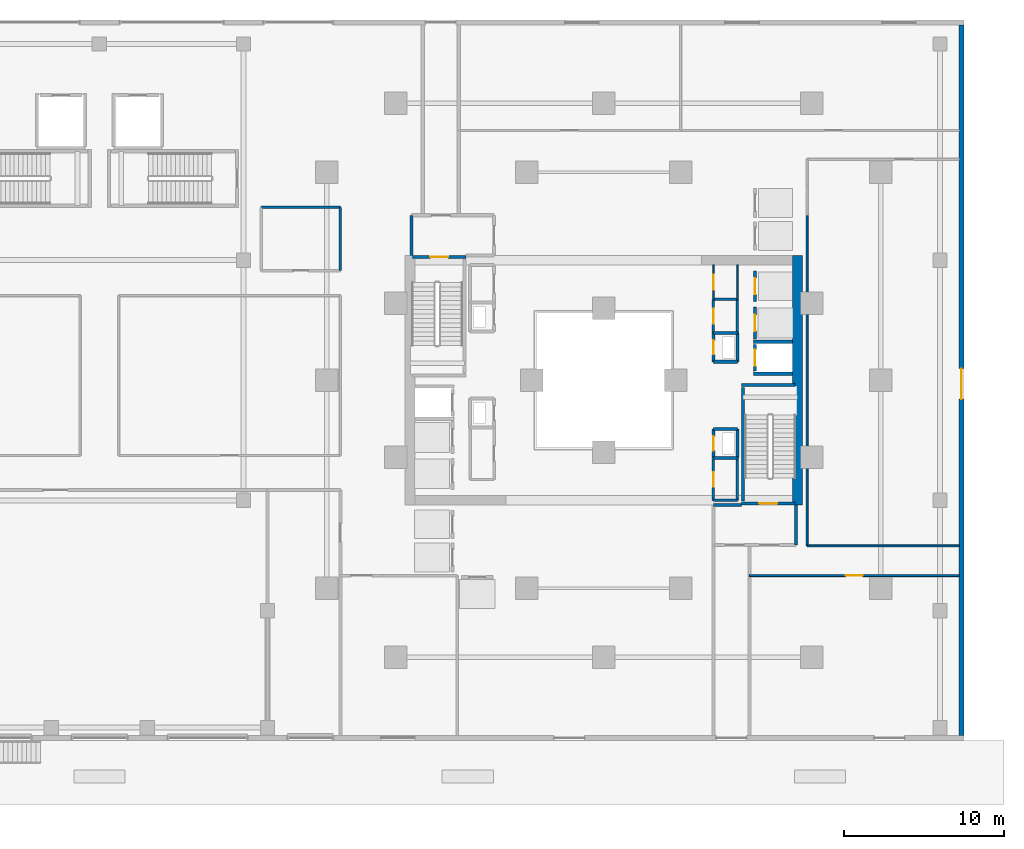
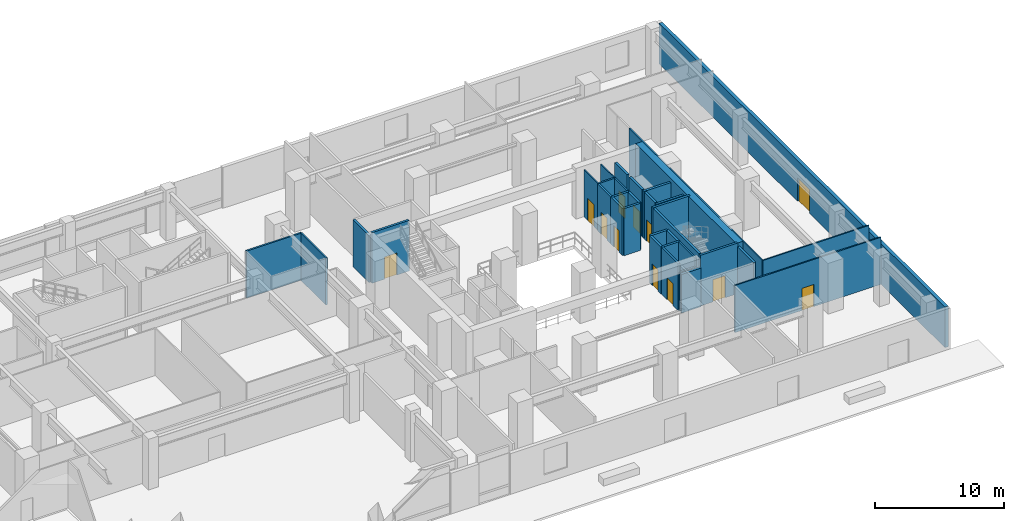
# One storey, part 17 of 24: 35 walls, 12 doors, 12 openings.
"""IFC4 building model written with IfcOpenShell, lengths in metres."""

from ifc_helpers import new_model, si_unit, direction, frame, frame_2d, origin, place, context, subcontext, project, spatial, rectangle, extrude, material, layer, layer_set, type_object, element, fill, save


model = new_model("IFC4")

# Units and contexts
model_context = context("Model", 3, precision=1e-05, world=origin(), true_north=direction((0.0, 1.0)))
body_context = subcontext(model_context, "Body", "Model", "MODEL_VIEW")
ifc_project = project(units=[si_unit("LENGTHUNIT", "METRE"), si_unit("AREAUNIT", "SQUARE_METRE"), si_unit("VOLUMEUNIT", "CUBIC_METRE"), si_unit("PLANEANGLEUNIT", "RADIAN"), si_unit("MASSUNIT", "GRAM", prefix="KILO")], contexts=[model_context])

# Site, building, storey
site_placement = place(None, origin())
site = spatial("IfcSite", under=ifc_project, at=site_placement, CompositionType="ELEMENT")
building_placement = place(site_placement, origin())
building = spatial("IfcBuilding", under=site, at=building_placement, Name="Thornwick Lancets Civic Towers", CompositionType="ELEMENT")
storey_placement = place(building_placement, origin())
storey = spatial("IfcBuildingStorey", under=building, at=storey_placement, Name="L00", CompositionType="ELEMENT", Elevation=0.0)

# Wall, opening, door
ifc_material_1 = material(Name="Concrete blockwork C40/50", Category="masonry")
ifc_layer_1 = layer(ifc_material_1, 0.199951171875, Name="Concrete blockwork C40/50")
ifc_layer_set_1 = layer_set([ifc_layer_1], Name="Concrete blockwork C40/50")
wall_type_1 = type_object("IfcWallType", Name="WALL_COMP_200", PredefinedType="STANDARD", material=ifc_layer_set_1)
wall_1_placement = place(storey_placement, frame((97.949951171875, 29.219970703125, 0.0), z_axis=(0.0, 0.0, 1.0), x_axis=(0.0, -1.0, 0.0)))
wall_1 = element("IfcWall", 1, at=wall_1_placement, inside=storey, type_object=wall_type_1, Name="L00 Hoistway Front Wall FL-B1", PredefinedType="STANDARD", context=body_context, shape_type="SweptSolid", body=[
    extrude(rectangle(XDim=1.639892578125, YDim=0.199951171875, at=frame_2d((0.81982421875, 0.0))), origin(), (0.0, 0.0, 1.0), 4.4599609375),
])
opening_1_placement = place(wall_1_placement, frame((0.31005859375, 0.0, 0.0)))
opening_1 = element("IfcOpeningElement", 2, at=opening_1_placement, cuts=wall_1, Name="Opening LD-FL-B1", PredefinedType="OPENING", context=body_context, shape_type="SweptSolid", body=[
    extrude(rectangle(XDim=1.02001953125, YDim=2.06005859375, at=frame_2d((0.510009765625, 1.030029296875))), frame((0.0, 0.10986328125, 0.0), z_axis=(0.0, -1.0, 0.0), x_axis=(1.0, 0.0, 0.0)), (0.0, 0.0, 1.0), 0.219970703125),
])
ifc_material_2 = material(Name="Brushed bronze stainless steel", Category="steel")
door_type_1 = type_object("IfcDoorType", Name="DOOR_LIFT_SLIDE", OperationType="SLIDING_TO_LEFT", PredefinedType="DOOR", material=ifc_material_2)
door_1_placement = place(opening_1_placement, origin())
door_1 = element("IfcDoor", 3, at=door_1_placement, inside=storey, type_object=door_type_1, Name="L00 Sliding Lift Landing Door LD-FL-B1", OperationType="SLIDING_TO_LEFT", OverallHeight=2.06005859375, OverallWidth=1.02001953125, PredefinedType="DOOR", context=body_context, shape_type="SweptSolid", body=[
    extrude(rectangle(XDim=1.02001953125, YDim=2.06005859375, at=frame_2d((0.510009765625, 1.030029296875))), frame((0.0, 0.02490234375, 0.0), z_axis=(0.0, -1.0, 0.0), x_axis=(1.0, 0.0, 0.0)), (0.0, 0.0, 1.0), 0.050048828125),
])
fill(opening_1, door_1)

wall_2_placement = place(storey_placement, frame((97.949951171875, 31.570068359375, 0.0), z_axis=(0.0, 0.0, 1.0), x_axis=(0.0, -1.0, 0.0)))
wall_2 = element("IfcWall", 4, at=wall_2_placement, inside=storey, type_object=wall_type_1, Name="L00 Hoistway Front Wall PL-BH1", PredefinedType="STANDARD", context=body_context, shape_type="SweptSolid", body=[
    extrude(rectangle(XDim=1.989990234375, YDim=0.199951171875, at=frame_2d((0.9951171875, 0.0))), origin(), (0.0, 0.0, 1.0), 4.4599609375),
])
opening_2_placement = place(wall_2_placement, frame((0.485107421875, 0.0, 0.0)))
opening_2 = element("IfcOpeningElement", 5, at=opening_2_placement, cuts=wall_2, Name="Opening LD-PL-BH1", PredefinedType="OPENING", context=body_context, shape_type="SweptSolid", body=[
    extrude(rectangle(XDim=1.02001953125, YDim=2.06005859375, at=frame_2d((0.510009765625, 1.030029296875))), frame((0.0, 0.10986328125, 0.0), z_axis=(0.0, -1.0, 0.0), x_axis=(1.0, 0.0, 0.0)), (0.0, 0.0, 1.0), 0.219970703125),
])
door_2_placement = place(opening_2_placement, origin())
door_2 = element("IfcDoor", 6, at=door_2_placement, inside=storey, type_object=door_type_1, Name="L00 Sliding Lift Landing Door LD-PL-BH1", OperationType="SLIDING_TO_LEFT", OverallHeight=2.06005859375, OverallWidth=1.02001953125, PredefinedType="DOOR", context=body_context, shape_type="SweptSolid", body=[
    extrude(rectangle(XDim=1.02001953125, YDim=2.06005859375, at=frame_2d((0.510009765625, 1.030029296875))), frame((0.0, 0.02490234375, 0.0), z_axis=(0.0, -1.0, 0.0), x_axis=(1.0, 0.0, 0.0)), (0.0, 0.0, 1.0), 0.050048828125),
])
fill(opening_2, door_2)

wall_3_placement = place(storey_placement, frame((97.949951171875, 33.820068359375, 0.0), z_axis=(0.0, 0.0, 1.0), x_axis=(0.0, -1.0, 0.0)))
wall_3 = element("IfcWall", 7, at=wall_3_placement, inside=storey, type_object=wall_type_1, Name="L00 Hoistway Front Wall PL-BL1", PredefinedType="STANDARD", context=body_context, shape_type="SweptSolid", body=[
    extrude(rectangle(XDim=1.89013671875, YDim=0.199951171875, at=frame_2d((0.945068359375, 0.0))), origin(), (0.0, 0.0, 1.0), 4.4599609375),
])
opening_3_placement = place(wall_3_placement, frame((0.43505859375, 0.0, 0.0)))
opening_3 = element("IfcOpeningElement", 8, at=opening_3_placement, cuts=wall_3, Name="Opening LD-PL-BL1", PredefinedType="OPENING", context=body_context, shape_type="SweptSolid", body=[
    extrude(rectangle(XDim=1.02001953125, YDim=2.06005859375, at=frame_2d((0.510009765625, 1.030029296875))), frame((0.0, 0.10986328125, 0.0), z_axis=(0.0, -1.0, 0.0), x_axis=(1.0, 0.0, 0.0)), (0.0, 0.0, 1.0), 0.219970703125),
])
door_3_placement = place(opening_3_placement, origin())
door_3 = element("IfcDoor", 9, at=door_3_placement, inside=storey, type_object=door_type_1, Name="L00 Sliding Lift Landing Door LD-PL-BL1", OperationType="SLIDING_TO_LEFT", OverallHeight=2.06005859375, OverallWidth=1.02001953125, PredefinedType="DOOR", context=body_context, shape_type="SweptSolid", body=[
    extrude(rectangle(XDim=1.02001953125, YDim=2.06005859375, at=frame_2d((0.510009765625, 1.030029296875))), frame((0.0, 0.02490234375, 0.0), z_axis=(0.0, -1.0, 0.0), x_axis=(1.0, 0.0, 0.0)), (0.0, 0.0, 1.0), 0.050048828125),
])
fill(opening_3, door_3)

# Walls
for number, where, z_axis, x_axis, name in (
    (10, (97.85205078125, 29.39990234375, 0.0), (0.0, 0.0, 1.0), (1.0, 0.0, 0.0), "L00 Hoistway Shaft Wall FL-B1 N"),
    (11, (97.85205078125, 27.39990234375, 0.0), (0.0, 0.0, 1.0), (1.0, 0.0, 0.0), "L00 Hoistway Shaft Wall FL-B1 S"),
):
    element("IfcWall", number, at=place(storey_placement, frame(where, z_axis=z_axis, x_axis=x_axis)), inside=storey, type_object=wall_type_1, Name=name, PredefinedType="STANDARD", context=body_context, shape_type="SweptSolid", body=[
        extrude(rectangle(XDim=2.43603515625, YDim=0.199951171875, at=frame_2d((1.218017578125, 0.0))), origin(), (0.0, 0.0, 1.0), 4.4599609375),
    ])
wall_4_placement = place(storey_placement, frame((100.5, 16.699951171875, 0.0), z_axis=(0.0, 0.0, 1.0), x_axis=(0.0, 1.0, 0.0)))
element("IfcWall", 12, at=wall_4_placement, inside=storey, type_object=wall_type_1, Name="L00 Partition L00-B-FFLOB1 E2", PredefinedType="STANDARD", context=body_context, shape_type="SweptSolid", body=[
    extrude(rectangle(XDim=2.5, YDim=0.199951171875, at=frame_2d((1.25, 0.0))), origin(), (0.0, 0.0, 1.0), 4.4599609375),
])
wall_5_placement = place(storey_placement, frame((97.10009765625, 19.199951171875, 0.0), z_axis=(0.0, 0.0, 1.0), x_axis=(-1.0, 0.0, 0.0)))
element("IfcWall", 13, at=wall_5_placement, inside=storey, type_object=wall_type_1, Name="L00 Partition L00-B-FFLOB1 E3", PredefinedType="STANDARD", context=body_context, shape_type="SweptSolid", body=[
    extrude(rectangle(XDim=1.75, YDim=0.199951171875, at=frame_2d((0.875, 0.0))), origin(), (0.0, 0.0, 1.0), 3.6650390625),
])
wall_6_placement = place(storey_placement, frame((76.5, 37.300048828125, 0.0), z_axis=(0.0, 0.0, 1.0), x_axis=(0.0, -1.0, 0.0)))
element("IfcWall", 14, at=wall_6_placement, inside=storey, type_object=wall_type_1, Name="L00 Partition L00-B-FFLOB2 E4", PredefinedType="STANDARD", context=body_context, shape_type="SweptSolid", body=[
    extrude(rectangle(XDim=2.5, YDim=0.199951171875, at=frame_2d((1.25, 0.0))), origin(), (0.0, 0.0, 1.0), 4.4599609375),
])
wall_7_placement = place(storey_placement, frame((95.35009765625, 28.14990234375, 0.0), z_axis=(0.0, 0.0, 1.0), x_axis=(1.0, 0.0, 0.0)))
element("IfcWall", 15, at=wall_7_placement, inside=storey, type_object=wall_type_1, Name="L00 Partition L00-B-DUCT1 E1", PredefinedType="STANDARD", context=body_context, shape_type="SweptSolid", body=[
    extrude(rectangle(XDim=1.5, YDim=0.199951171875, at=frame_2d((0.75, 0.0))), origin(), (0.0, 0.0, 1.0), 4.4599609375),
])
wall_8_placement = place(storey_placement, frame((96.85009765625, 28.14990234375, 0.0), z_axis=(0.0, 0.0, 1.0), x_axis=(0.0, 1.0, 0.0)))
element("IfcWall", 16, at=wall_8_placement, inside=storey, type_object=wall_type_1, Name="L00 Partition L00-B-DUCT1 E2", PredefinedType="STANDARD", context=body_context, shape_type="SweptSolid", body=[
    extrude(rectangle(XDim=1.800048828125, YDim=0.199951171875, at=frame_2d((0.89990234375, 0.0))), origin(), (0.0, 0.0, 1.0), 4.4599609375),
])
wall_9_placement = place(storey_placement, frame((96.85009765625, 29.949951171875, 0.0), z_axis=(0.0, 0.0, 1.0), x_axis=(-1.0, 0.0, 0.0)))
element("IfcWall", 17, at=wall_9_placement, inside=storey, type_object=wall_type_1, Name="L00 Partition L00-B-DUCT1 E3", PredefinedType="STANDARD", context=body_context, shape_type="SweptSolid", body=[
    extrude(rectangle(XDim=1.5, YDim=0.199951171875, at=frame_2d((0.75, 0.0))), origin(), (0.0, 0.0, 1.0), 4.4599609375),
])

# Wall, opening, door
wall_10_placement = place(storey_placement, frame((95.35009765625, 29.949951171875, 0.0), z_axis=(0.0, 0.0, 1.0), x_axis=(0.0, -1.0, 0.0)))
wall_10 = element("IfcWall", 18, at=wall_10_placement, inside=storey, type_object=wall_type_1, Name="L00 Partition L00-B-DUCT1 E4", PredefinedType="STANDARD", context=body_context, shape_type="SweptSolid", body=[
    extrude(rectangle(XDim=1.800048828125, YDim=0.199951171875, at=frame_2d((0.89990234375, 0.0))), origin(), (0.0, 0.0, 1.0), 4.4599609375),
])
opening_4_placement = place(wall_10_placement, frame((0.4599609375, 0.0, 0.0)))
opening_4 = element("IfcOpeningElement", 19, at=opening_4_placement, cuts=wall_10, Name="Opening D-L00-0058", PredefinedType="OPENING", context=body_context, shape_type="SweptSolid", body=[
    extrude(rectangle(XDim=0.8798828125, YDim=2.0400390625, at=frame_2d((0.43994140625, 1.02001953125))), frame((0.0, 0.10986328125, 0.0), z_axis=(0.0, -1.0, 0.0), x_axis=(1.0, 0.0, 0.0)), (0.0, 0.0, 1.0), 0.219970703125),
])
ifc_material_3 = material(Name="Steel riser access doorset", Category="steel")
door_type_2 = type_object("IfcDoorType", Name="DOOR_RISER_850", OperationType="NOTDEFINED", PredefinedType="DOOR", material=ifc_material_3)
door_4_placement = place(opening_4_placement, origin())
door_4 = element("IfcDoor", 20, at=door_4_placement, inside=storey, type_object=door_type_2, Name="L00 East Service Duct 1 Door", OperationType="SINGLE_SWING_LEFT", OverallHeight=2.0400390625, OverallWidth=0.8798828125, PredefinedType="DOOR", context=body_context, shape_type="SweptSolid", body=[
    extrude(rectangle(XDim=0.8798828125, YDim=2.0400390625, at=frame_2d((0.43994140625, 1.02001953125))), frame((0.0, 0.02490234375, 0.0), z_axis=(0.0, -1.0, 0.0), x_axis=(1.0, 0.0, 0.0)), (0.0, 0.0, 1.0), 0.050048828125),
])
fill(opening_4, door_4)

# Walls
wall_11_placement = place(storey_placement, frame((95.35009765625, 22.14990234375, 0.0), z_axis=(0.0, 0.0, 1.0), x_axis=(1.0, 0.0, 0.0)))
element("IfcWall", 21, at=wall_11_placement, inside=storey, type_object=wall_type_1, Name="L00 Partition L00-B-RISER1 E1", PredefinedType="STANDARD", context=body_context, shape_type="SweptSolid", body=[
    extrude(rectangle(XDim=1.5, YDim=0.199951171875, at=frame_2d((0.75, 0.0))), origin(), (0.0, 0.0, 1.0), 4.4599609375),
])
wall_12_placement = place(storey_placement, frame((96.85009765625, 22.14990234375, 0.0), z_axis=(0.0, 0.0, 1.0), x_axis=(0.0, 1.0, 0.0)))
element("IfcWall", 22, at=wall_12_placement, inside=storey, type_object=wall_type_1, Name="L00 Partition L00-B-RISER1 E2", PredefinedType="STANDARD", context=body_context, shape_type="SweptSolid", body=[
    extrude(rectangle(XDim=1.800048828125, YDim=0.199951171875, at=frame_2d((0.89990234375, 0.0))), origin(), (0.0, 0.0, 1.0), 4.4599609375),
])
wall_13_placement = place(storey_placement, frame((96.85009765625, 23.949951171875, 0.0), z_axis=(0.0, 0.0, 1.0), x_axis=(-1.0, 0.0, 0.0)))
element("IfcWall", 23, at=wall_13_placement, inside=storey, type_object=wall_type_1, Name="L00 Partition L00-B-RISER1 E3", PredefinedType="STANDARD", context=body_context, shape_type="SweptSolid", body=[
    extrude(rectangle(XDim=1.5, YDim=0.199951171875, at=frame_2d((0.75, 0.0))), origin(), (0.0, 0.0, 1.0), 4.4599609375),
])

# Wall, opening, door
wall_14_placement = place(storey_placement, frame((95.35009765625, 23.949951171875, 0.0), z_axis=(0.0, 0.0, 1.0), x_axis=(0.0, -1.0, 0.0)))
wall_14 = element("IfcWall", 24, at=wall_14_placement, inside=storey, type_object=wall_type_1, Name="L00 Partition L00-B-RISER1 E4", PredefinedType="STANDARD", context=body_context, shape_type="SweptSolid", body=[
    extrude(rectangle(XDim=1.800048828125, YDim=0.199951171875, at=frame_2d((0.89990234375, 0.0))), origin(), (0.0, 0.0, 1.0), 4.4599609375),
])
opening_5_placement = place(wall_14_placement, frame((0.4599609375, 0.0, 0.0)))
opening_5 = element("IfcOpeningElement", 25, at=opening_5_placement, cuts=wall_14, Name="Opening D-L00-0059", PredefinedType="OPENING", context=body_context, shape_type="SweptSolid", body=[
    extrude(rectangle(XDim=0.8798828125, YDim=2.0400390625, at=frame_2d((0.43994140625, 1.02001953125))), frame((0.0, 0.10986328125, 0.0), z_axis=(0.0, -1.0, 0.0), x_axis=(1.0, 0.0, 0.0)), (0.0, 0.0, 1.0), 0.219970703125),
])
door_5_placement = place(opening_5_placement, origin())
door_5 = element("IfcDoor", 26, at=door_5_placement, inside=storey, type_object=door_type_2, Name="L00 East Electrical Riser 1 Door", OperationType="SINGLE_SWING_RIGHT", OverallHeight=2.0400390625, OverallWidth=0.8798828125, PredefinedType="DOOR", context=body_context, shape_type="SweptSolid", body=[
    extrude(rectangle(XDim=0.8798828125, YDim=2.0400390625, at=frame_2d((0.43994140625, 1.02001953125))), frame((0.0, 0.02490234375, 0.0), z_axis=(0.0, -1.0, 0.0), x_axis=(1.0, 0.0, 0.0)), (0.0, 0.0, 1.0), 0.050048828125),
])
fill(opening_5, door_5)

# Wall
ifc_material_4 = material(Name="Concrete C60/75", Category="concrete")
ifc_layer_2 = layer(ifc_material_4, 0.60009765625, Name="Concrete C60/75")
ifc_layer_set_2 = layer_set([ifc_layer_2], Name="Concrete C60/75")
wall_type_2 = type_object("IfcWallType", Name="WALL_CORE_600", PredefinedType="SHEAR", material=ifc_layer_set_2)
wall_15_placement = place(storey_placement, frame((100.60009765625, 19.199951171875, 0.0), z_axis=(0.0, 0.0, 1.0), x_axis=(0.0, 1.0, 0.0)))
element("IfcWall", 27, at=wall_15_placement, inside=storey, type_object=wall_type_2, Name="L00 Split Core B1 Shear Wall E", PredefinedType="SHEAR", context=body_context, shape_type="SweptSolid", body=[
    extrude(rectangle(XDim=15.60009765625, YDim=0.60009765625, at=frame_2d((7.800048828125, 0.0))), origin(), (0.0, 0.0, 1.0), 4.800048828125),
])

# Wall, opening, door
ifc_material_5 = material(Name="Insulated russet terracotta rainscreen on concrete C40/50", Category="masonry")
ifc_layer_3 = layer(ifc_material_5, 0.300048828125, Name="Insulated russet terracotta rainscreen on concrete C40/50")
ifc_layer_set_3 = layer_set([ifc_layer_3], Name="Insulated russet terracotta rainscreen on concrete C40/50")
wall_type_3 = type_object("IfcWallType", Name="WALL_EXT_RUSSET_300", PredefinedType="STANDARD", material=ifc_layer_set_3)
wall_16_placement = place(storey_placement, frame((110.85009765625, 4.820068359375, 0.0), z_axis=(0.0, 0.0, 1.0), x_axis=(0.0, 1.0, 0.0)))
wall_16 = element("IfcWall", 28, at=wall_16_placement, inside=storey, type_object=wall_type_3, Name="L00 Podium East Facade Wall", PredefinedType="STANDARD", context=body_context, shape_type="SweptSolid", body=[
    extrude(rectangle(XDim=44.35986328125, YDim=0.300048828125, at=frame_2d((22.179931640625, 0.0))), origin(), (0.0, 0.0, 1.0), 3.860107421875),
])
opening_6_placement = place(wall_16_placement, frame((22.89990234375, 0.0, 0.0), z_axis=(0.0, 0.0, 1.0), x_axis=(-1.0, 0.0, 0.0)))
opening_6 = element("IfcOpeningElement", 29, at=opening_6_placement, cuts=wall_16, Name="Opening D-EX-10", PredefinedType="OPENING", context=body_context, shape_type="SweptSolid", body=[
    extrude(rectangle(XDim=1.89990234375, YDim=2.25, at=frame_2d((0.949951171875, 1.125))), frame((0.0, 0.16015625, 0.0), z_axis=(0.0, -1.0, 0.0), x_axis=(1.0, 0.0, 0.0)), (0.0, 0.0, 1.0), 0.320068359375),
])
ifc_material_6 = material(Name="Glazed bronze civic entrance double doorset")
door_type_3 = type_object("IfcDoorType", Name="DOOR_EXIT_1900", OperationType="DOUBLE_DOOR_SINGLE_SWING", PredefinedType="DOOR", material=ifc_material_6)
door_6_placement = place(opening_6_placement, origin())
door_6 = element("IfcDoor", 30, at=door_6_placement, inside=storey, type_object=door_type_3, Name="L00 Final Pedestrian Exit Door D-EX-10", OperationType="DOUBLE_DOOR_SINGLE_SWING", OverallHeight=2.25, OverallWidth=1.89990234375, PredefinedType="DOOR", context=body_context, shape_type="SweptSolid", body=[
    extrude(rectangle(XDim=1.89990234375, YDim=2.25, at=frame_2d((0.949951171875, 1.125))), frame((0.0, 0.02490234375, 0.0), z_axis=(0.0, -1.0, 0.0), x_axis=(1.0, 0.0, 0.0)), (0.0, 0.0, 1.0), 0.050048828125),
])
fill(opening_6, door_6)

ifc_material_7 = material(Name="Lightweight cellular office partition")
ifc_layer_4 = layer(ifc_material_7, 0.10009765625, Name="Lightweight cellular office partition")
ifc_layer_set_4 = layer_set([ifc_layer_4], Name="Lightweight cellular office partition")
wall_type_4 = type_object("IfcWallType", Name="WALL_PART_100", PredefinedType="PARTITIONING", material=ifc_layer_set_4)
wall_17_placement = place(storey_placement, frame((95.35009765625, 32.050048828125, 0.0), z_axis=(0.0, 0.0, 1.0), x_axis=(0.0, 1.0, 0.0)))
wall_17 = element("IfcWall", 31, at=wall_17_placement, inside=storey, type_object=wall_type_4, Name="L00 Partition L00-B-CLN E1", PredefinedType="PARTITIONING", context=body_context, shape_type="SweptSolid", body=[
    extrude(rectangle(XDim=2.14990234375, YDim=0.10009765625, at=frame_2d((1.074951171875, 0.0))), origin(), (0.0, 0.0, 1.0), 4.4599609375),
])
opening_7_placement = place(wall_17_placement, frame((0.60009765625, 0.0, 0.0)))
opening_7 = element("IfcOpeningElement", 32, at=opening_7_placement, cuts=wall_17, Name="Opening D-L00-0064", PredefinedType="OPENING", context=body_context, shape_type="SweptSolid", body=[
    extrude(rectangle(XDim=0.949951171875, YDim=2.10009765625, at=frame_2d((0.47509765625, 1.050048828125))), frame((0.0, 0.06005859375, 0.0), z_axis=(0.0, -1.0, 0.0), x_axis=(1.0, 0.0, 0.0)), (0.0, 0.0, 1.0), 0.1201171875),
])
ifc_material_8 = material(Name="European oak acoustic doorset")
door_type_4 = type_object("IfcDoorType", Name="DOOR_OFFICE_950", OperationType="NOTDEFINED", PredefinedType="DOOR", material=ifc_material_8)
door_7_placement = place(opening_7_placement, origin())
door_7 = element("IfcDoor", 33, at=door_7_placement, inside=storey, type_object=door_type_4, Name="L00 Tower B Cleaners Store Door", OperationType="SINGLE_SWING_LEFT", OverallHeight=2.10009765625, OverallWidth=0.949951171875, PredefinedType="DOOR", context=body_context, shape_type="SweptSolid", body=[
    extrude(rectangle(XDim=0.949951171875, YDim=2.10009765625, at=frame_2d((0.47509765625, 1.050048828125))), frame((0.0, 0.02490234375, 0.0), z_axis=(0.0, -1.0, 0.0), x_axis=(1.0, 0.0, 0.0)), (0.0, 0.0, 1.0), 0.050048828125),
])
fill(opening_7, door_7)

# Wall
wall_18_placement = place(storey_placement, frame((96.85009765625, 34.199951171875, 0.0), z_axis=(0.0, 0.0, 1.0), x_axis=(0.0, -1.0, 0.0)))
element("IfcWall", 34, at=wall_18_placement, inside=storey, type_object=wall_type_4, Name="L00 Partition L00-B-CLN E3", PredefinedType="PARTITIONING", context=body_context, shape_type="SweptSolid", body=[
    extrude(rectangle(XDim=2.14990234375, YDim=0.10009765625, at=frame_2d((1.074951171875, 0.0))), origin(), (0.0, 0.0, 1.0), 4.4599609375),
])

# Wall, opening, door
ifc_material_9 = material(Name="Acoustic gypsum board partition")
ifc_layer_5 = layer(ifc_material_9, 0.1201171875, Name="Acoustic gypsum board partition")
ifc_layer_set_5 = layer_set([ifc_layer_5], Name="Acoustic gypsum board partition")
wall_type_5 = type_object("IfcWallType", Name="WALL_PART_120", PredefinedType="PARTITIONING", material=ifc_layer_set_5)
wall_19_placement = place(storey_placement, frame((97.60009765625, 14.800048828125, 0.0), z_axis=(0.0, 0.0, 1.0), x_axis=(1.0, 0.0, 0.0)))
wall_19 = element("IfcWall", 35, at=wall_19_placement, inside=storey, type_object=wall_type_5, Name="L00 Partition L00-CAFE E3", PredefinedType="PARTITIONING", context=body_context, shape_type="SweptSolid", body=[
    extrude(rectangle(XDim=13.099853515625, YDim=0.1201171875, at=frame_2d((6.5498046875, 0.0))), origin(), (0.0, 0.0, 1.0), 4.4599609375),
])
opening_8_placement = place(wall_19_placement, frame((6.02490234375, 0.0, 0.0)))
opening_8 = element("IfcOpeningElement", 36, at=opening_8_placement, cuts=wall_19, Name="Opening D-L00-0079", PredefinedType="OPENING", context=body_context, shape_type="SweptSolid", body=[
    extrude(rectangle(XDim=1.050048828125, YDim=2.10009765625, at=frame_2d((0.52490234375, 1.050048828125))), frame((0.0, 0.070068359375, 0.0), z_axis=(0.0, -1.0, 0.0), x_axis=(1.0, 0.0, 0.0)), (0.0, 0.0, 1.0), 0.14013671875),
])
ifc_material_10 = material(Name="Glazed European oak executive doorset")
door_type_5 = type_object("IfcDoorType", Name="DOOR_OFFICE_1050", OperationType="NOTDEFINED", PredefinedType="DOOR", material=ifc_material_10)
door_8_placement = place(opening_8_placement, origin())
door_8 = element("IfcDoor", 37, at=door_8_placement, inside=storey, type_object=door_type_5, Name="Civic Refectory and Tea Pantry Door", OperationType="SINGLE_SWING_RIGHT", OverallHeight=2.10009765625, OverallWidth=1.050048828125, PredefinedType="DOOR", context=body_context, shape_type="SweptSolid", body=[
    extrude(rectangle(XDim=1.050048828125, YDim=2.10009765625, at=frame_2d((0.52490234375, 1.050048828125))), frame((0.0, 0.02490234375, 0.0), z_axis=(0.0, -1.0, 0.0), x_axis=(1.0, 0.0, 0.0)), (0.0, 0.0, 1.0), 0.050048828125),
])
fill(opening_8, door_8)

# Walls
wall_20_placement = place(storey_placement, frame((101.199951171875, 16.64990234375, 0.0), z_axis=(0.0, 0.0, 1.0), x_axis=(0.0, 1.0, 0.0)))
element("IfcWall", 38, at=wall_20_placement, inside=storey, type_object=wall_type_5, Name="L00 Partition L00-EASTH E1", PredefinedType="PARTITIONING", context=body_context, shape_type="SweptSolid", body=[
    extrude(rectangle(XDim=20.650146484375, YDim=0.1201171875, at=frame_2d((10.3251953125, 0.0))), origin(), (0.0, 0.0, 1.0), 4.4599609375),
])
wall_21_placement = place(storey_placement, frame((110.699951171875, 16.64990234375, 0.0), z_axis=(0.0, 0.0, 1.0), x_axis=(-1.0, 0.0, 0.0)))
element("IfcWall", 39, at=wall_21_placement, inside=storey, type_object=wall_type_5, Name="L00 Partition L00-EASTH E6", PredefinedType="PARTITIONING", context=body_context, shape_type="SweptSolid", body=[
    extrude(rectangle(XDim=9.5, YDim=0.1201171875, at=frame_2d((4.75, 0.0))), origin(), (0.0, 0.0, 1.0), 4.4599609375),
])
ifc_material_11 = material(Name="Twin-stud acoustic gypsum board")
ifc_layer_6 = layer(ifc_material_11, 0.14990234375, Name="Twin-stud acoustic gypsum board")
ifc_layer_set_6 = layer_set([ifc_layer_6], Name="Twin-stud acoustic gypsum board")
wall_type_6 = type_object("IfcWallType", Name="WALL_PART_150", PredefinedType="PARTITIONING", material=ifc_layer_set_6)
wall_22_placement = place(storey_placement, frame((95.35009765625, 19.5, 0.0), z_axis=(0.0, 0.0, 1.0), x_axis=(1.0, 0.0, 0.0)))
element("IfcWall", 40, at=wall_22_placement, inside=storey, type_object=wall_type_6, Name="L00 Partition L00-B-AWC E1", PredefinedType="PARTITIONING", context=body_context, shape_type="SweptSolid", body=[
    extrude(rectangle(XDim=1.5, YDim=0.14990234375, at=frame_2d((0.75, 0.0))), origin(), (0.0, 0.0, 1.0), 3.6650390625),
])
wall_23_placement = place(storey_placement, frame((96.85009765625, 19.5, 0.0), z_axis=(0.0, 0.0, 1.0), x_axis=(0.0, 1.0, 0.0)))
element("IfcWall", 41, at=wall_23_placement, inside=storey, type_object=wall_type_6, Name="L00 Partition L00-B-AWC E2", PredefinedType="PARTITIONING", context=body_context, shape_type="SweptSolid", body=[
    extrude(rectangle(XDim=2.60009765625, YDim=0.14990234375, at=frame_2d((1.300048828125, 0.0))), origin(), (0.0, 0.0, 1.0), 4.4599609375),
])

# Wall, opening, door
wall_24_placement = place(storey_placement, frame((95.35009765625, 22.10009765625, 0.0), z_axis=(0.0, 0.0, 1.0), x_axis=(0.0, -1.0, 0.0)))
wall_24 = element("IfcWall", 42, at=wall_24_placement, inside=storey, type_object=wall_type_6, Name="L00 Partition L00-B-AWC E4", PredefinedType="PARTITIONING", context=body_context, shape_type="SweptSolid", body=[
    extrude(rectangle(XDim=2.60009765625, YDim=0.14990234375, at=frame_2d((1.300048828125, 0.0))), origin(), (0.0, 0.0, 1.0), 4.4599609375),
])
opening_9_placement = place(wall_24_placement, frame((0.840087890625, 0.0, 0.0)))
opening_9 = element("IfcOpeningElement", 43, at=opening_9_placement, cuts=wall_24, Name="Opening D-L00-0062", PredefinedType="OPENING", context=body_context, shape_type="SweptSolid", body=[
    extrude(rectangle(XDim=0.919921875, YDim=2.080078125, at=frame_2d((0.4599609375, 1.0400390625))), frame((0.0, 0.0849609375, 0.0), z_axis=(0.0, -1.0, 0.0), x_axis=(1.0, 0.0, 0.0)), (0.0, 0.0, 1.0), 0.169921875),
])
ifc_material_12 = material(Name="Moisture-resistant oak doorset")
door_type_6 = type_object("IfcDoorType", Name="DOOR_WC_900", OperationType="NOTDEFINED", PredefinedType="DOOR", material=ifc_material_12)
door_9_placement = place(opening_9_placement, origin())
door_9 = element("IfcDoor", 44, at=door_9_placement, inside=storey, type_object=door_type_6, Name="L00 Tower B Accessible WC Door", OperationType="SINGLE_SWING_LEFT", OverallHeight=2.080078125, OverallWidth=0.919921875, PredefinedType="DOOR", context=body_context, shape_type="SweptSolid", body=[
    extrude(rectangle(XDim=0.919921875, YDim=2.080078125, at=frame_2d((0.4599609375, 1.0400390625))), frame((0.0, 0.02490234375, 0.0), z_axis=(0.0, -1.0, 0.0), x_axis=(1.0, 0.0, 0.0)), (0.0, 0.0, 1.0), 0.050048828125),
])
fill(opening_9, door_9)

wall_25_placement = place(storey_placement, frame((95.35009765625, 29.949951171875, 0.0), z_axis=(0.0, 0.0, 1.0), x_axis=(0.0, 1.0, 0.0)))
wall_25 = element("IfcWall", 45, at=wall_25_placement, inside=storey, type_object=wall_type_6, Name="L00 Partition L00-B-MWC E1", PredefinedType="PARTITIONING", context=body_context, shape_type="SweptSolid", body=[
    extrude(rectangle(XDim=2.10009765625, YDim=0.14990234375, at=frame_2d((1.050048828125, 0.0))), origin(), (0.0, 0.0, 1.0), 4.4599609375),
])
opening_10_placement = place(wall_25_placement, frame((0.590087890625, 0.0, 0.0)))
opening_10 = element("IfcOpeningElement", 46, at=opening_10_placement, cuts=wall_25, Name="Opening D-L00-0063", PredefinedType="OPENING", context=body_context, shape_type="SweptSolid", body=[
    extrude(rectangle(XDim=0.919921875, YDim=2.080078125, at=frame_2d((0.4599609375, 1.0400390625))), frame((0.0, 0.0849609375, 0.0), z_axis=(0.0, -1.0, 0.0), x_axis=(1.0, 0.0, 0.0)), (0.0, 0.0, 1.0), 0.169921875),
])
door_10_placement = place(opening_10_placement, origin())
door_10 = element("IfcDoor", 47, at=door_10_placement, inside=storey, type_object=door_type_6, Name="L00 Tower B Male WC Door", OperationType="SINGLE_SWING_RIGHT", OverallHeight=2.080078125, OverallWidth=0.919921875, PredefinedType="DOOR", context=body_context, shape_type="SweptSolid", body=[
    extrude(rectangle(XDim=0.919921875, YDim=2.080078125, at=frame_2d((0.4599609375, 1.0400390625))), frame((0.0, 0.02490234375, 0.0), z_axis=(0.0, -1.0, 0.0), x_axis=(1.0, 0.0, 0.0)), (0.0, 0.0, 1.0), 0.050048828125),
])
fill(opening_10, door_10)

# Walls
wall_26_placement = place(storey_placement, frame((95.35009765625, 32.050048828125, 0.0), z_axis=(0.0, 0.0, 1.0), x_axis=(1.0, 0.0, 0.0)))
element("IfcWall", 48, at=wall_26_placement, inside=storey, type_object=wall_type_6, Name="L00 Partition L00-B-MWC E2", PredefinedType="PARTITIONING", context=body_context, shape_type="SweptSolid", body=[
    extrude(rectangle(XDim=1.5, YDim=0.14990234375, at=frame_2d((0.75, 0.0))), origin(), (0.0, 0.0, 1.0), 4.4599609375),
])
wall_27_placement = place(storey_placement, frame((96.85009765625, 32.050048828125, 0.0), z_axis=(0.0, 0.0, 1.0), x_axis=(0.0, -1.0, 0.0)))
element("IfcWall", 49, at=wall_27_placement, inside=storey, type_object=wall_type_6, Name="L00 Partition L00-B-MWC E3", PredefinedType="PARTITIONING", context=body_context, shape_type="SweptSolid", body=[
    extrude(rectangle(XDim=2.10009765625, YDim=0.14990234375, at=frame_2d((1.050048828125, 0.0))), origin(), (0.0, 0.0, 1.0), 4.4599609375),
])
wall_28_placement = place(storey_placement, frame((72.050048828125, 33.85009765625, 0.0), z_axis=(0.0, 0.0, 1.0), x_axis=(0.0, 1.0, 0.0)))
element("IfcWall", 50, at=wall_28_placement, inside=storey, type_object=wall_type_6, Name="L00 Partition L00-POD-FWC E2", PredefinedType="PARTITIONING", context=body_context, shape_type="SweptSolid", body=[
    extrude(rectangle(XDim=3.949951171875, YDim=0.14990234375, at=frame_2d((1.97509765625, 0.0))), origin(), (0.0, 0.0, 1.0), 4.4599609375),
])
wall_29_placement = place(storey_placement, frame((72.050048828125, 37.800048828125, 0.0), z_axis=(0.0, 0.0, 1.0), x_axis=(-1.0, 0.0, 0.0)))
element("IfcWall", 51, at=wall_29_placement, inside=storey, type_object=wall_type_6, Name="L00 Partition L00-POD-FWC E3", PredefinedType="PARTITIONING", context=body_context, shape_type="SweptSolid", body=[
    extrude(rectangle(XDim=4.949951171875, YDim=0.14990234375, at=frame_2d((2.47509765625, 0.0))), origin(), (0.0, 0.0, 1.0), 4.4599609375),
])

# Wall, opening, door
ifc_material_13 = material(Name="Concrete C40/50", Category="concrete")
ifc_layer_7 = layer(ifc_material_13, 0.199951171875, Name="Concrete C40/50")
ifc_layer_set_7 = layer_set([ifc_layer_7], Name="Concrete C40/50")
wall_type_7 = type_object("IfcWallType", Name="WALL_SHAFT_200", PredefinedType="SHEAR", material=ifc_layer_set_7)
wall_30_placement = place(storey_placement, frame((100.449951171875, 19.300048828125, 0.0), z_axis=(0.0, 0.0, 1.0), x_axis=(-1.0, 0.0, 0.0)))
wall_30 = element("IfcWall", 52, at=wall_30_placement, inside=storey, type_object=wall_type_7, Name="L00 ST-B1 Fire Stair Core Wall NEAR", PredefinedType="SHEAR", context=body_context, shape_type="SweptSolid", body=[
    extrude(rectangle(XDim=3.349853515625, YDim=0.199951171875, at=frame_2d((1.6748046875, 0.0))), origin(), (0.0, 0.0, 1.0), 4.800048828125),
])
opening_11_placement = place(wall_30_placement, frame((1.125, 0.0, 0.0)))
opening_11 = element("IfcOpeningElement", 53, at=opening_11_placement, cuts=wall_30, Name="Opening D-ST-B1-L00", PredefinedType="OPENING", context=body_context, shape_type="SweptSolid", body=[
    extrude(rectangle(XDim=1.10009765625, YDim=2.10009765625, at=frame_2d((0.550048828125, 1.050048828125))), frame((0.0, 0.10986328125, 0.0), z_axis=(0.0, -1.0, 0.0), x_axis=(1.0, 0.0, 0.0)), (0.0, 0.0, 1.0), 0.219970703125),
])
ifc_material_14 = material(Name="Fire-resisting steel and hardwood", Category="steel")
door_type_7 = type_object("IfcDoorType", Name="DOOR_STAIR_FD60", OperationType="NOTDEFINED", PredefinedType="DOOR", material=ifc_material_14)
door_11_placement = place(opening_11_placement, origin())
door_11 = element("IfcDoor", 54, at=door_11_placement, inside=storey, type_object=door_type_7, Name="L00 ST-B1 Exit Stair Door", OperationType="SINGLE_SWING_RIGHT", OverallHeight=2.10009765625, OverallWidth=1.10009765625, PredefinedType="DOOR", context=body_context, shape_type="SweptSolid", body=[
    extrude(rectangle(XDim=1.10009765625, YDim=2.10009765625, at=frame_2d((0.550048828125, 1.050048828125))), frame((0.0, 0.02490234375, 0.0), z_axis=(0.0, -1.0, 0.0), x_axis=(1.0, 0.0, 0.0)), (0.0, 0.0, 1.0), 0.050048828125),
])
fill(opening_11, door_11)

# Walls
wall_31_placement = place(storey_placement, frame((97.10009765625, 26.699951171875, 0.0), z_axis=(0.0, 0.0, 1.0), x_axis=(1.0, 0.0, 0.0)))
element("IfcWall", 55, at=wall_31_placement, inside=storey, type_object=wall_type_7, Name="L00 ST-B1 Fire Stair Core Wall FAR", PredefinedType="SHEAR", context=body_context, shape_type="SweptSolid", body=[
    extrude(rectangle(XDim=3.349853515625, YDim=0.199951171875, at=frame_2d((1.6748046875, 0.0))), origin(), (0.0, 0.0, 1.0), 4.800048828125),
])
wall_32_placement = place(storey_placement, frame((97.202880859375, 26.550048828125, 0.0), z_axis=(0.0, 0.0, 1.0), x_axis=(0.0, -1.0, 0.0)))
element("IfcWall", 56, at=wall_32_placement, inside=storey, type_object=wall_type_7, Name="L00 ST-B1 Fire Stair Core Wall RIGHT", PredefinedType="SHEAR", context=body_context, shape_type="SweptSolid", body=[
    extrude(rectangle(XDim=7.10009765625, YDim=0.199951171875, at=frame_2d((3.550048828125, 0.0))), origin(), (0.0, 0.0, 1.0), 4.800048828125),
])

# Wall, opening, door
wall_33_placement = place(storey_placement, frame((76.550048828125, 34.699951171875, 0.0), z_axis=(0.0, 0.0, 1.0), x_axis=(1.0, 0.0, 0.0)))
wall_33 = element("IfcWall", 57, at=wall_33_placement, inside=storey, type_object=wall_type_7, Name="L00 ST-B2 Fire Stair Core Wall NEAR", PredefinedType="SHEAR", context=body_context, shape_type="SweptSolid", body=[
    extrude(rectangle(XDim=3.349853515625, YDim=0.199951171875, at=frame_2d((1.6748046875, 0.0))), origin(), (0.0, 0.0, 1.0), 4.800048828125),
])
opening_12_placement = place(wall_33_placement, frame((1.125, 0.0, 0.0)))
opening_12 = element("IfcOpeningElement", 58, at=opening_12_placement, cuts=wall_33, Name="Opening D-ST-B2-L00", PredefinedType="OPENING", context=body_context, shape_type="SweptSolid", body=[
    extrude(rectangle(XDim=1.10009765625, YDim=2.10009765625, at=frame_2d((0.550048828125, 1.050048828125))), frame((0.0, 0.10986328125, 0.0), z_axis=(0.0, -1.0, 0.0), x_axis=(1.0, 0.0, 0.0)), (0.0, 0.0, 1.0), 0.219970703125),
])
door_12_placement = place(opening_12_placement, origin())
door_12 = element("IfcDoor", 59, at=door_12_placement, inside=storey, type_object=door_type_7, Name="L00 ST-B2 Exit Stair Door", OperationType="SINGLE_SWING_LEFT", OverallHeight=2.10009765625, OverallWidth=1.10009765625, PredefinedType="DOOR", context=body_context, shape_type="SweptSolid", body=[
    extrude(rectangle(XDim=1.10009765625, YDim=2.10009765625, at=frame_2d((0.550048828125, 1.050048828125))), frame((0.0, 0.02490234375, 0.0), z_axis=(0.0, -1.0, 0.0), x_axis=(1.0, 0.0, 0.0)), (0.0, 0.0, 1.0), 0.050048828125),
])
fill(opening_12, door_12)

save(model, "model.ifc")
